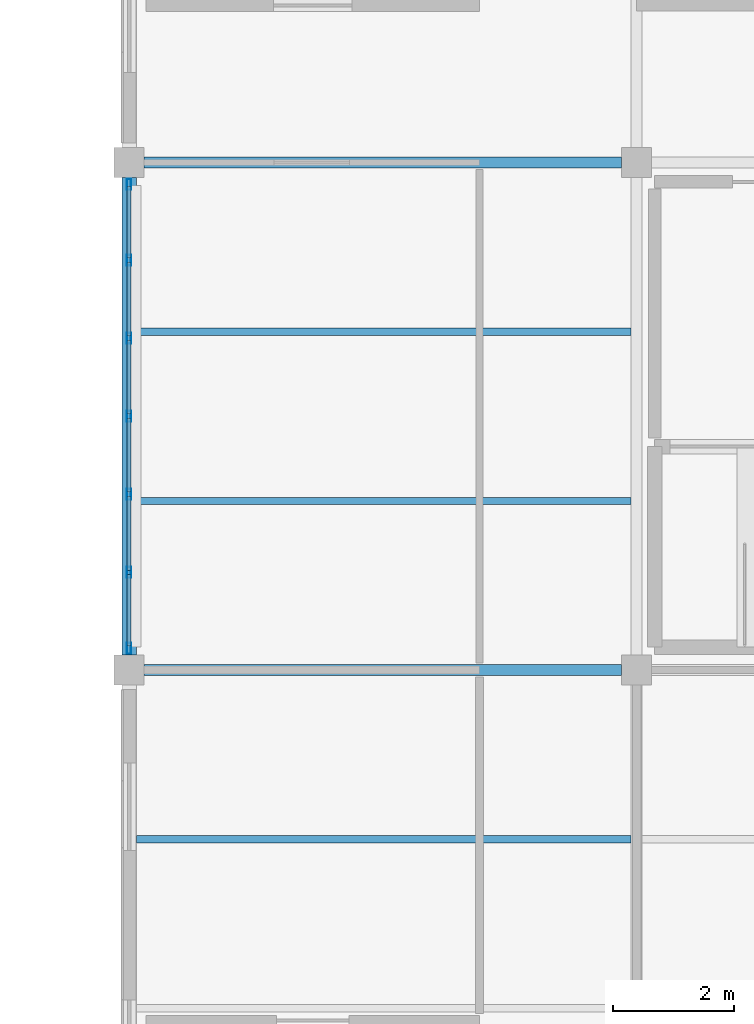
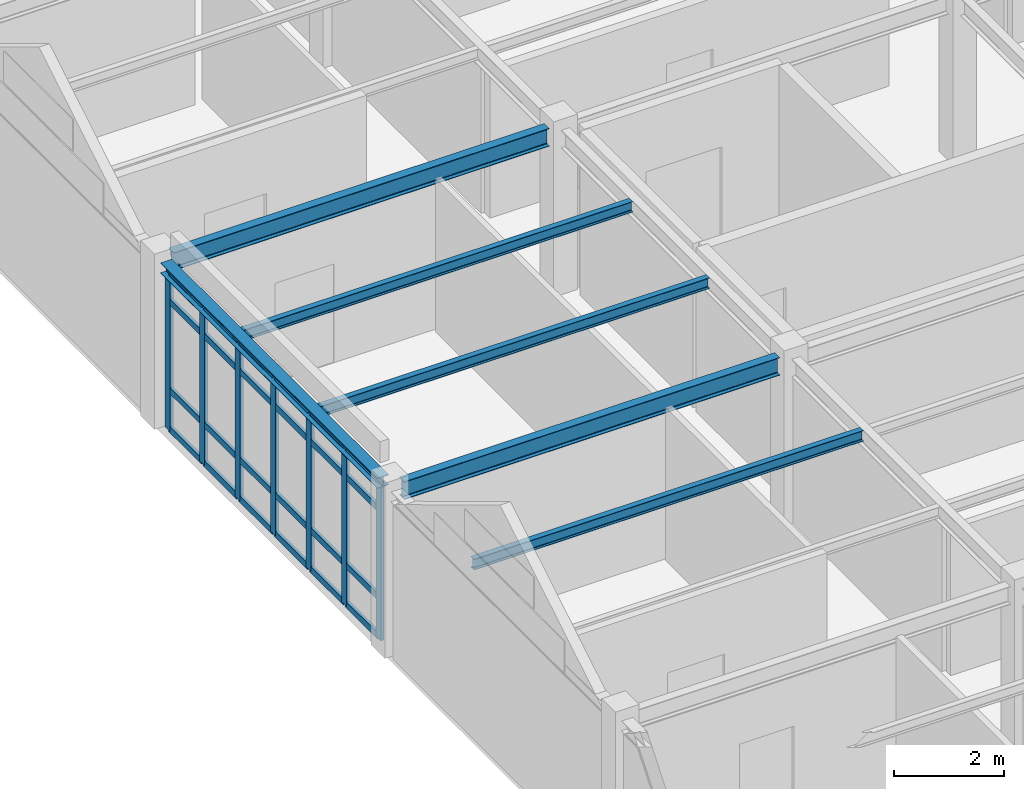
# One storey, part 10 of 45: 31 members, 6 beams, 1 element without a shape of its own.
"""IFC4 building model written with IfcOpenShell, lengths in metres."""

from ifc_helpers import new_model, si_unit, direction, frame, origin, origin_2d, place, context, subcontext, project, spatial, hollow_rectangle, i_section, extrude, material, layer, layer_set, material_profile, profile_set, type_object, element, aggregate, save


model = new_model("IFC4")

# Units and contexts
model_context = context("Model", 3, precision=1e-05, world=origin(), true_north=direction((0.0, 1.0)))
body_context = subcontext(model_context, "Body", "Model", "MODEL_VIEW")
ifc_project = project(units=[si_unit("LENGTHUNIT", "METRE"), si_unit("AREAUNIT", "SQUARE_METRE"), si_unit("VOLUMEUNIT", "CUBIC_METRE"), si_unit("PLANEANGLEUNIT", "RADIAN"), si_unit("MASSUNIT", "GRAM", prefix="KILO")], contexts=[model_context])

# Site, building, storey
site_placement = place(None, origin())
site = spatial("IfcSite", under=ifc_project, at=site_placement, CompositionType="ELEMENT")
building_placement = place(site_placement, origin())
building = spatial("IfcBuilding", under=site, at=building_placement, Name="Bramfleet General Hospital", CompositionType="ELEMENT")
storey_placement = place(building_placement, frame((0.0, 0.0, 30.300048828125)))
storey = spatial("IfcBuildingStorey", under=building, at=storey_placement, Name="L07", CompositionType="ELEMENT", Elevation=30.300048828125)

# Beams
ifc_material_1 = material(Name="Steel S355", Category="steel")
ifc_material_profile_1 = material_profile(ifc_material_1, i_section(OverallWidth=0.239990234375, OverallDepth=0.22998046875, WebThickness=0.007568359375, FlangeThickness=0.011962890625, FilletRadius=0.02099609375, at=origin_2d()), Name="HEA 240")
ifc_profile_set_1 = profile_set([ifc_material_profile_1], Name="Steel S355")
beam_type_1 = type_object("IfcBeamType", Name="BM-HEA240", PredefinedType="SPANDREL", material=ifc_profile_set_1)
beam_placement = place(storey_placement, frame((92.39990234375, 67.449951171875, 3.544921875), z_axis=(0.0, 1.0, 0.0), x_axis=(-1.0, 0.0, 0.0)))
element("IfcBeam", 1, at=beam_placement, inside=storey, type_object=beam_type_1, Name="L07 Grid Beam Y 11-08", PredefinedType="SPANDREL", context=body_context, shape_type="SweptSolid", body=[
    extrude(i_section(OverallWidth=0.239990234375, OverallDepth=0.22998046875, WebThickness=0.007568359375, FlangeThickness=0.011962890625, FilletRadius=0.02099609375, at=origin_2d()), origin(), (0.0, 0.0, 1.0), 7.900146484375),
])
ifc_material_profile_2 = material_profile(ifc_material_1, i_section(OverallWidth=0.1201171875, OverallDepth=0.239990234375, WebThickness=0.006103515625, FlangeThickness=0.009765625, FilletRadius=0.014892578125, at=origin_2d()), Name="IPE 240")
ifc_profile_set_2 = profile_set([ifc_material_profile_2], Name="Steel S355")
beam_type_2 = type_object("IfcBeamType", Name="BM-IPE240", PredefinedType="JOIST", material=ifc_profile_set_2)
for number, where, z_axis, x_axis, name in (
    (2, (92.52001953125, 64.39990234375, 3.5400390625), (1.0, 0.0, 0.0), (0.0, 1.0, 0.0), "L07 Secondary Joist 11-07-2"),
    (3, (92.52001953125, 70.0, 3.5400390625), (1.0, 0.0, 0.0), (0.0, 1.0, 0.0), "L07 Secondary Joist 11-08-1"),
    (4, (92.52001953125, 72.800048828125, 3.5400390625), (1.0, 0.0, 0.0), (0.0, 1.0, 0.0), "L07 Secondary Joist 11-08-2"),
):
    element("IfcBeam", number, at=place(storey_placement, frame(where, z_axis=z_axis, x_axis=x_axis)), inside=storey, type_object=beam_type_2, Name=name, PredefinedType="JOIST", context=body_context, shape_type="SweptSolid", body=[
        extrude(i_section(OverallWidth=0.1201171875, OverallDepth=0.239990234375, WebThickness=0.006103515625, FlangeThickness=0.009765625, FilletRadius=0.014892578125, at=origin_2d()), origin(), (0.0, 0.0, 1.0), 8.18994140625),
    ])
ifc_material_profile_3 = material_profile(ifc_material_1, i_section(OverallWidth=0.179931640625, OverallDepth=0.39990234375, WebThickness=0.008544921875, FlangeThickness=0.013427734375, FilletRadius=0.02099609375, at=origin_2d()), Name="IPE 400")
ifc_profile_set_3 = profile_set([ifc_material_profile_3], Name="Steel S355")
beam_type_3 = type_object("IfcBeamType", Name="BM-IPE400", PredefinedType="BEAM", material=ifc_profile_set_3)
for number, where, z_axis, x_axis, name in (
    (5, (92.64990234375, 67.199951171875, 3.4599609375), (1.0, 0.0, 0.0), (0.0, 1.0, 0.0), "L07 Grid Beam X 11-08"),
    (6, (92.64990234375, 75.60009765625, 3.4599609375), (1.0, 0.0, 0.0), (0.0, 1.0, 0.0), "L07 Grid Beam X 11-09"),
):
    element("IfcBeam", number, at=place(storey_placement, frame(where, z_axis=z_axis, x_axis=x_axis)), inside=storey, type_object=beam_type_3, Name=name, PredefinedType="BEAM", context=body_context, shape_type="SweptSolid", body=[
        extrude(i_section(OverallWidth=0.179931640625, OverallDepth=0.39990234375, WebThickness=0.008544921875, FlangeThickness=0.013427734375, FilletRadius=0.02099609375, at=origin_2d()), origin(), (0.0, 0.0, 1.0), 7.900146484375),
    ])

# Curtain wall, members
ifc_material_2 = material(Name="Anodised aluminium and low-E triple glazing", Category="aluminium")
ifc_layer = layer(ifc_material_2, 0.179931640625, Name="CWT-CW-06")
ifc_layer_set = layer_set([ifc_layer], Name="Anodised aluminium and low-E triple glazing")
curtain_wall_type = type_object("IfcCurtainWallType", Name="CWT-CW-06", PredefinedType="USERDEFINED", material=ifc_layer_set)
curtain_wall_placement = place(storey_placement, origin())
curtain_wall = element("IfcCurtainWall", 7, at=curtain_wall_placement, inside=storey, type_object=curtain_wall_type, Name="L07 Curtain Wall 222", ObjectType="Unitised curtain wall", PredefinedType="USERDEFINED")
ifc_material_3 = material(Name="Anodised aluminium EN AW-6060", Category="aluminium")
ifc_material_profile_4 = material_profile(ifc_material_3, hollow_rectangle(XDim=0.070068359375, YDim=0.179931640625, WallThickness=0.00390625, at=origin_2d()), Name="ALU 180x70x4.0")
ifc_profile_set_4 = profile_set([ifc_material_profile_4], Name="Anodised aluminium EN AW-6060")
member_type_1 = type_object("IfcMemberType", Name="CWM-ALU180", PredefinedType="MULLION", material=ifc_profile_set_4)
member_1_placement = place(storey_placement, frame((92.39990234375, 67.56005859375, 0.0), z_axis=(0.0, 0.0, 1.0), x_axis=(-1.0, 0.0, 0.0)))
member_1 = element("IfcMember", 8, at=member_1_placement, type_object=member_type_1, Name="CW-06 mullion 1", PredefinedType="MULLION", context=body_context, shape_type="SweptSolid", body=[
    extrude(hollow_rectangle(XDim=0.070068359375, YDim=0.179931640625, WallThickness=0.00390625, at=origin_2d()), origin(), (0.0, 0.0, 1.0), 3.419921875),
])
member_2_placement = place(storey_placement, frame((92.39990234375, 68.816650390625, 0.0), z_axis=(0.0, 0.0, 1.0), x_axis=(-1.0, 0.0, 0.0)))
member_2 = element("IfcMember", 9, at=member_2_placement, type_object=member_type_1, Name="CW-06 mullion 2", PredefinedType="MULLION", context=body_context, shape_type="SweptSolid", body=[
    extrude(hollow_rectangle(XDim=0.070068359375, YDim=0.179931640625, WallThickness=0.00390625, at=origin_2d()), origin(), (0.0, 0.0, 1.0), 3.419921875),
])
member_3_placement = place(storey_placement, frame((92.39990234375, 70.1083984375, 0.0), z_axis=(0.0, 0.0, 1.0), x_axis=(-1.0, 0.0, 0.0)))
member_3 = element("IfcMember", 10, at=member_3_placement, type_object=member_type_1, Name="CW-06 mullion 3", PredefinedType="MULLION", context=body_context, shape_type="SweptSolid", body=[
    extrude(hollow_rectangle(XDim=0.070068359375, YDim=0.179931640625, WallThickness=0.00390625, at=origin_2d()), origin(), (0.0, 0.0, 1.0), 3.419921875),
])
member_4_placement = place(storey_placement, frame((92.39990234375, 71.39990234375, 0.0), z_axis=(0.0, 0.0, 1.0), x_axis=(-1.0, 0.0, 0.0)))
member_4 = element("IfcMember", 11, at=member_4_placement, type_object=member_type_1, Name="CW-06 mullion 4", PredefinedType="MULLION", context=body_context, shape_type="SweptSolid", body=[
    extrude(hollow_rectangle(XDim=0.070068359375, YDim=0.179931640625, WallThickness=0.00390625, at=origin_2d()), origin(), (0.0, 0.0, 1.0), 3.419921875),
])
member_5_placement = place(storey_placement, frame((92.39990234375, 72.691650390625, 0.0), z_axis=(0.0, 0.0, 1.0), x_axis=(-1.0, 0.0, 0.0)))
member_5 = element("IfcMember", 12, at=member_5_placement, type_object=member_type_1, Name="CW-06 mullion 5", PredefinedType="MULLION", context=body_context, shape_type="SweptSolid", body=[
    extrude(hollow_rectangle(XDim=0.070068359375, YDim=0.179931640625, WallThickness=0.00390625, at=origin_2d()), origin(), (0.0, 0.0, 1.0), 3.419921875),
])
member_6_placement = place(storey_placement, frame((92.39990234375, 73.9833984375, 0.0), z_axis=(0.0, 0.0, 1.0), x_axis=(-1.0, 0.0, 0.0)))
member_6 = element("IfcMember", 13, at=member_6_placement, type_object=member_type_1, Name="CW-06 mullion 6", PredefinedType="MULLION", context=body_context, shape_type="SweptSolid", body=[
    extrude(hollow_rectangle(XDim=0.070068359375, YDim=0.179931640625, WallThickness=0.00390625, at=origin_2d()), origin(), (0.0, 0.0, 1.0), 3.419921875),
])
member_7_placement = place(storey_placement, frame((92.39990234375, 75.239990234375, 0.0), z_axis=(0.0, 0.0, 1.0), x_axis=(-1.0, 0.0, 0.0)))
member_7 = element("IfcMember", 14, at=member_7_placement, type_object=member_type_1, Name="CW-06 mullion 7", PredefinedType="MULLION", context=body_context, shape_type="SweptSolid", body=[
    extrude(hollow_rectangle(XDim=0.070068359375, YDim=0.179931640625, WallThickness=0.00390625, at=origin_2d()), origin(), (0.0, 0.0, 1.0), 3.419921875),
])
ifc_material_profile_5 = material_profile(ifc_material_3, hollow_rectangle(XDim=0.06494140625, YDim=0.139892578125, WallThickness=0.00390625, at=origin_2d()), Name="ALU 140x65x4.0")
ifc_profile_set_5 = profile_set([ifc_material_profile_5], Name="Anodised aluminium EN AW-6060")
member_type_2 = type_object("IfcMemberType", Name="CWT-ALU140", PredefinedType="USERDEFINED", material=ifc_profile_set_5)
member_8_placement = place(storey_placement, frame((92.39990234375, 67.594970703125, 0.032470703125), z_axis=(0.0, 1.0, 0.0), x_axis=(-1.0, 0.0, 0.0)))
member_8 = element("IfcMember", 15, at=member_8_placement, type_object=member_type_2, Name="CW-06 transom 1.1", ObjectType="TRANSOM", PredefinedType="USERDEFINED", context=body_context, shape_type="SweptSolid", body=[
    extrude(hollow_rectangle(XDim=0.06494140625, YDim=0.139892578125, WallThickness=0.00390625, at=origin_2d()), origin(), (0.0, 0.0, 1.0), 1.186767578125),
])
member_9_placement = place(storey_placement, frame((92.39990234375, 67.594970703125, 0.89990234375), z_axis=(0.0, 1.0, 0.0), x_axis=(-1.0, 0.0, 0.0)))
member_9 = element("IfcMember", 16, at=member_9_placement, type_object=member_type_2, Name="CW-06 transom 1.2", ObjectType="TRANSOM", PredefinedType="USERDEFINED", context=body_context, shape_type="SweptSolid", body=[
    extrude(hollow_rectangle(XDim=0.06494140625, YDim=0.139892578125, WallThickness=0.00390625, at=origin_2d()), origin(), (0.0, 0.0, 1.0), 1.186767578125),
])
member_10_placement = place(storey_placement, frame((92.39990234375, 67.594970703125, 2.869873046875), z_axis=(0.0, 1.0, 0.0), x_axis=(-1.0, 0.0, 0.0)))
member_10 = element("IfcMember", 17, at=member_10_placement, type_object=member_type_2, Name="CW-06 transom 1.3", ObjectType="TRANSOM", PredefinedType="USERDEFINED", context=body_context, shape_type="SweptSolid", body=[
    extrude(hollow_rectangle(XDim=0.06494140625, YDim=0.139892578125, WallThickness=0.00390625, at=origin_2d()), origin(), (0.0, 0.0, 1.0), 1.186767578125),
])
member_11_placement = place(storey_placement, frame((92.39990234375, 67.594970703125, 3.387451171875), z_axis=(0.0, 1.0, 0.0), x_axis=(-1.0, 0.0, 0.0)))
member_11 = element("IfcMember", 18, at=member_11_placement, type_object=member_type_2, Name="CW-06 transom 1.4", ObjectType="TRANSOM", PredefinedType="USERDEFINED", context=body_context, shape_type="SweptSolid", body=[
    extrude(hollow_rectangle(XDim=0.06494140625, YDim=0.139892578125, WallThickness=0.00390625, at=origin_2d()), origin(), (0.0, 0.0, 1.0), 1.186767578125),
])
member_12_placement = place(storey_placement, frame((92.39990234375, 68.8515625, 0.032470703125), z_axis=(0.0, 1.0, 0.0), x_axis=(-1.0, 0.0, 0.0)))
member_12 = element("IfcMember", 19, at=member_12_placement, type_object=member_type_2, Name="CW-06 transom 2.1", ObjectType="TRANSOM", PredefinedType="USERDEFINED", context=body_context, shape_type="SweptSolid", body=[
    extrude(hollow_rectangle(XDim=0.06494140625, YDim=0.139892578125, WallThickness=0.00390625, at=origin_2d()), origin(), (0.0, 0.0, 1.0), 1.2216796875),
])
member_13_placement = place(storey_placement, frame((92.39990234375, 68.8515625, 0.89990234375), z_axis=(0.0, 1.0, 0.0), x_axis=(-1.0, 0.0, 0.0)))
member_13 = element("IfcMember", 20, at=member_13_placement, type_object=member_type_2, Name="CW-06 transom 2.2", ObjectType="TRANSOM", PredefinedType="USERDEFINED", context=body_context, shape_type="SweptSolid", body=[
    extrude(hollow_rectangle(XDim=0.06494140625, YDim=0.139892578125, WallThickness=0.00390625, at=origin_2d()), origin(), (0.0, 0.0, 1.0), 1.2216796875),
])
member_14_placement = place(storey_placement, frame((92.39990234375, 68.8515625, 2.869873046875), z_axis=(0.0, 1.0, 0.0), x_axis=(-1.0, 0.0, 0.0)))
member_14 = element("IfcMember", 21, at=member_14_placement, type_object=member_type_2, Name="CW-06 transom 2.3", ObjectType="TRANSOM", PredefinedType="USERDEFINED", context=body_context, shape_type="SweptSolid", body=[
    extrude(hollow_rectangle(XDim=0.06494140625, YDim=0.139892578125, WallThickness=0.00390625, at=origin_2d()), origin(), (0.0, 0.0, 1.0), 1.2216796875),
])
member_15_placement = place(storey_placement, frame((92.39990234375, 68.8515625, 3.387451171875), z_axis=(0.0, 1.0, 0.0), x_axis=(-1.0, 0.0, 0.0)))
member_15 = element("IfcMember", 22, at=member_15_placement, type_object=member_type_2, Name="CW-06 transom 2.4", ObjectType="TRANSOM", PredefinedType="USERDEFINED", context=body_context, shape_type="SweptSolid", body=[
    extrude(hollow_rectangle(XDim=0.06494140625, YDim=0.139892578125, WallThickness=0.00390625, at=origin_2d()), origin(), (0.0, 0.0, 1.0), 1.2216796875),
])
member_16_placement = place(storey_placement, frame((92.39990234375, 70.143310546875, 0.032470703125), z_axis=(0.0, 1.0, 0.0), x_axis=(-1.0, 0.0, 0.0)))
member_16 = element("IfcMember", 23, at=member_16_placement, type_object=member_type_2, Name="CW-06 transom 3.1", ObjectType="TRANSOM", PredefinedType="USERDEFINED", context=body_context, shape_type="SweptSolid", body=[
    extrude(hollow_rectangle(XDim=0.06494140625, YDim=0.139892578125, WallThickness=0.00390625, at=origin_2d()), origin(), (0.0, 0.0, 1.0), 1.2216796875),
])
member_17_placement = place(storey_placement, frame((92.39990234375, 70.143310546875, 0.89990234375), z_axis=(0.0, 1.0, 0.0), x_axis=(-1.0, 0.0, 0.0)))
member_17 = element("IfcMember", 24, at=member_17_placement, type_object=member_type_2, Name="CW-06 transom 3.2", ObjectType="TRANSOM", PredefinedType="USERDEFINED", context=body_context, shape_type="SweptSolid", body=[
    extrude(hollow_rectangle(XDim=0.06494140625, YDim=0.139892578125, WallThickness=0.00390625, at=origin_2d()), origin(), (0.0, 0.0, 1.0), 1.2216796875),
])
member_18_placement = place(storey_placement, frame((92.39990234375, 70.143310546875, 2.869873046875), z_axis=(0.0, 1.0, 0.0), x_axis=(-1.0, 0.0, 0.0)))
member_18 = element("IfcMember", 25, at=member_18_placement, type_object=member_type_2, Name="CW-06 transom 3.3", ObjectType="TRANSOM", PredefinedType="USERDEFINED", context=body_context, shape_type="SweptSolid", body=[
    extrude(hollow_rectangle(XDim=0.06494140625, YDim=0.139892578125, WallThickness=0.00390625, at=origin_2d()), origin(), (0.0, 0.0, 1.0), 1.2216796875),
])
member_19_placement = place(storey_placement, frame((92.39990234375, 70.143310546875, 3.387451171875), z_axis=(0.0, 1.0, 0.0), x_axis=(-1.0, 0.0, 0.0)))
member_19 = element("IfcMember", 26, at=member_19_placement, type_object=member_type_2, Name="CW-06 transom 3.4", ObjectType="TRANSOM", PredefinedType="USERDEFINED", context=body_context, shape_type="SweptSolid", body=[
    extrude(hollow_rectangle(XDim=0.06494140625, YDim=0.139892578125, WallThickness=0.00390625, at=origin_2d()), origin(), (0.0, 0.0, 1.0), 1.2216796875),
])
member_20_placement = place(storey_placement, frame((92.39990234375, 71.43505859375, 0.032470703125), z_axis=(0.0, 1.0, 0.0), x_axis=(-1.0, 0.0, 0.0)))
member_20 = element("IfcMember", 27, at=member_20_placement, type_object=member_type_2, Name="CW-06 transom 4.1", ObjectType="TRANSOM", PredefinedType="USERDEFINED", context=body_context, shape_type="SweptSolid", body=[
    extrude(hollow_rectangle(XDim=0.06494140625, YDim=0.139892578125, WallThickness=0.00390625, at=origin_2d()), origin(), (0.0, 0.0, 1.0), 1.2216796875),
])
member_21_placement = place(storey_placement, frame((92.39990234375, 71.43505859375, 0.89990234375), z_axis=(0.0, 1.0, 0.0), x_axis=(-1.0, 0.0, 0.0)))
member_21 = element("IfcMember", 28, at=member_21_placement, type_object=member_type_2, Name="CW-06 transom 4.2", ObjectType="TRANSOM", PredefinedType="USERDEFINED", context=body_context, shape_type="SweptSolid", body=[
    extrude(hollow_rectangle(XDim=0.06494140625, YDim=0.139892578125, WallThickness=0.00390625, at=origin_2d()), origin(), (0.0, 0.0, 1.0), 1.2216796875),
])
member_22_placement = place(storey_placement, frame((92.39990234375, 71.43505859375, 2.869873046875), z_axis=(0.0, 1.0, 0.0), x_axis=(-1.0, 0.0, 0.0)))
member_22 = element("IfcMember", 29, at=member_22_placement, type_object=member_type_2, Name="CW-06 transom 4.3", ObjectType="TRANSOM", PredefinedType="USERDEFINED", context=body_context, shape_type="SweptSolid", body=[
    extrude(hollow_rectangle(XDim=0.06494140625, YDim=0.139892578125, WallThickness=0.00390625, at=origin_2d()), origin(), (0.0, 0.0, 1.0), 1.2216796875),
])
member_23_placement = place(storey_placement, frame((92.39990234375, 71.43505859375, 3.387451171875), z_axis=(0.0, 1.0, 0.0), x_axis=(-1.0, 0.0, 0.0)))
member_23 = element("IfcMember", 30, at=member_23_placement, type_object=member_type_2, Name="CW-06 transom 4.4", ObjectType="TRANSOM", PredefinedType="USERDEFINED", context=body_context, shape_type="SweptSolid", body=[
    extrude(hollow_rectangle(XDim=0.06494140625, YDim=0.139892578125, WallThickness=0.00390625, at=origin_2d()), origin(), (0.0, 0.0, 1.0), 1.2216796875),
])
member_24_placement = place(storey_placement, frame((92.39990234375, 72.7265625, 0.032470703125), z_axis=(0.0, 1.0, 0.0), x_axis=(-1.0, 0.0, 0.0)))
member_24 = element("IfcMember", 31, at=member_24_placement, type_object=member_type_2, Name="CW-06 transom 5.1", ObjectType="TRANSOM", PredefinedType="USERDEFINED", context=body_context, shape_type="SweptSolid", body=[
    extrude(hollow_rectangle(XDim=0.06494140625, YDim=0.139892578125, WallThickness=0.00390625, at=origin_2d()), origin(), (0.0, 0.0, 1.0), 1.2216796875),
])
member_25_placement = place(storey_placement, frame((92.39990234375, 72.7265625, 0.89990234375), z_axis=(0.0, 1.0, 0.0), x_axis=(-1.0, 0.0, 0.0)))
member_25 = element("IfcMember", 32, at=member_25_placement, type_object=member_type_2, Name="CW-06 transom 5.2", ObjectType="TRANSOM", PredefinedType="USERDEFINED", context=body_context, shape_type="SweptSolid", body=[
    extrude(hollow_rectangle(XDim=0.06494140625, YDim=0.139892578125, WallThickness=0.00390625, at=origin_2d()), origin(), (0.0, 0.0, 1.0), 1.2216796875),
])
member_26_placement = place(storey_placement, frame((92.39990234375, 72.7265625, 2.869873046875), z_axis=(0.0, 1.0, 0.0), x_axis=(-1.0, 0.0, 0.0)))
member_26 = element("IfcMember", 33, at=member_26_placement, type_object=member_type_2, Name="CW-06 transom 5.3", ObjectType="TRANSOM", PredefinedType="USERDEFINED", context=body_context, shape_type="SweptSolid", body=[
    extrude(hollow_rectangle(XDim=0.06494140625, YDim=0.139892578125, WallThickness=0.00390625, at=origin_2d()), origin(), (0.0, 0.0, 1.0), 1.2216796875),
])
member_27_placement = place(storey_placement, frame((92.39990234375, 72.7265625, 3.387451171875), z_axis=(0.0, 1.0, 0.0), x_axis=(-1.0, 0.0, 0.0)))
member_27 = element("IfcMember", 34, at=member_27_placement, type_object=member_type_2, Name="CW-06 transom 5.4", ObjectType="TRANSOM", PredefinedType="USERDEFINED", context=body_context, shape_type="SweptSolid", body=[
    extrude(hollow_rectangle(XDim=0.06494140625, YDim=0.139892578125, WallThickness=0.00390625, at=origin_2d()), origin(), (0.0, 0.0, 1.0), 1.2216796875),
])
member_28_placement = place(storey_placement, frame((92.39990234375, 74.018310546875, 0.032470703125), z_axis=(0.0, 1.0, 0.0), x_axis=(-1.0, 0.0, 0.0)))
member_28 = element("IfcMember", 35, at=member_28_placement, type_object=member_type_2, Name="CW-06 transom 6.1", ObjectType="TRANSOM", PredefinedType="USERDEFINED", context=body_context, shape_type="SweptSolid", body=[
    extrude(hollow_rectangle(XDim=0.06494140625, YDim=0.139892578125, WallThickness=0.00390625, at=origin_2d()), origin(), (0.0, 0.0, 1.0), 1.186767578125),
])
member_29_placement = place(storey_placement, frame((92.39990234375, 74.018310546875, 0.89990234375), z_axis=(0.0, 1.0, 0.0), x_axis=(-1.0, 0.0, 0.0)))
member_29 = element("IfcMember", 36, at=member_29_placement, type_object=member_type_2, Name="CW-06 transom 6.2", ObjectType="TRANSOM", PredefinedType="USERDEFINED", context=body_context, shape_type="SweptSolid", body=[
    extrude(hollow_rectangle(XDim=0.06494140625, YDim=0.139892578125, WallThickness=0.00390625, at=origin_2d()), origin(), (0.0, 0.0, 1.0), 1.186767578125),
])
member_30_placement = place(storey_placement, frame((92.39990234375, 74.018310546875, 2.869873046875), z_axis=(0.0, 1.0, 0.0), x_axis=(-1.0, 0.0, 0.0)))
member_30 = element("IfcMember", 37, at=member_30_placement, type_object=member_type_2, Name="CW-06 transom 6.3", ObjectType="TRANSOM", PredefinedType="USERDEFINED", context=body_context, shape_type="SweptSolid", body=[
    extrude(hollow_rectangle(XDim=0.06494140625, YDim=0.139892578125, WallThickness=0.00390625, at=origin_2d()), origin(), (0.0, 0.0, 1.0), 1.186767578125),
])
member_31_placement = place(storey_placement, frame((92.39990234375, 74.018310546875, 3.387451171875), z_axis=(0.0, 1.0, 0.0), x_axis=(-1.0, 0.0, 0.0)))
member_31 = element("IfcMember", 38, at=member_31_placement, type_object=member_type_2, Name="CW-06 transom 6.4", ObjectType="TRANSOM", PredefinedType="USERDEFINED", context=body_context, shape_type="SweptSolid", body=[
    extrude(hollow_rectangle(XDim=0.06494140625, YDim=0.139892578125, WallThickness=0.00390625, at=origin_2d()), origin(), (0.0, 0.0, 1.0), 1.186767578125),
])
aggregate(curtain_wall, [member_1, member_2, member_3, member_4, member_5, member_6, member_7, member_8, member_9, member_10, member_11, member_12, member_13, member_14, member_15, member_16, member_17, member_18, member_19, member_20, member_21, member_22, member_23, member_24, member_25, member_26, member_27, member_28, member_29, member_30, member_31])

save(model, "model.ifc")
